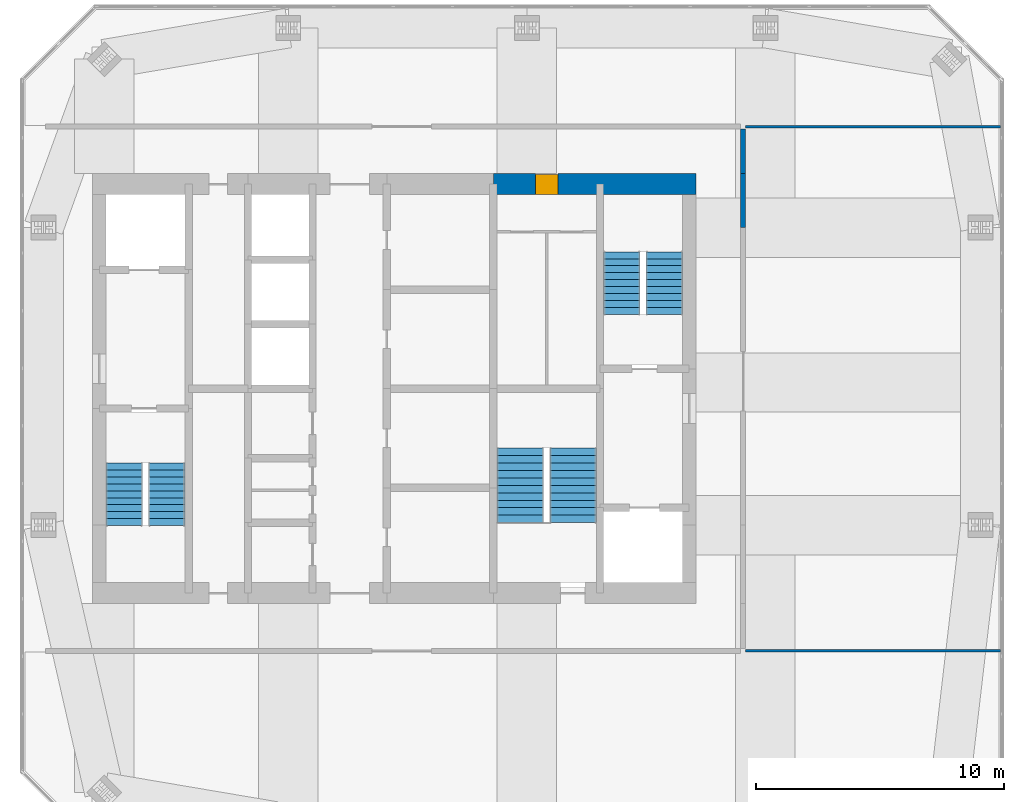
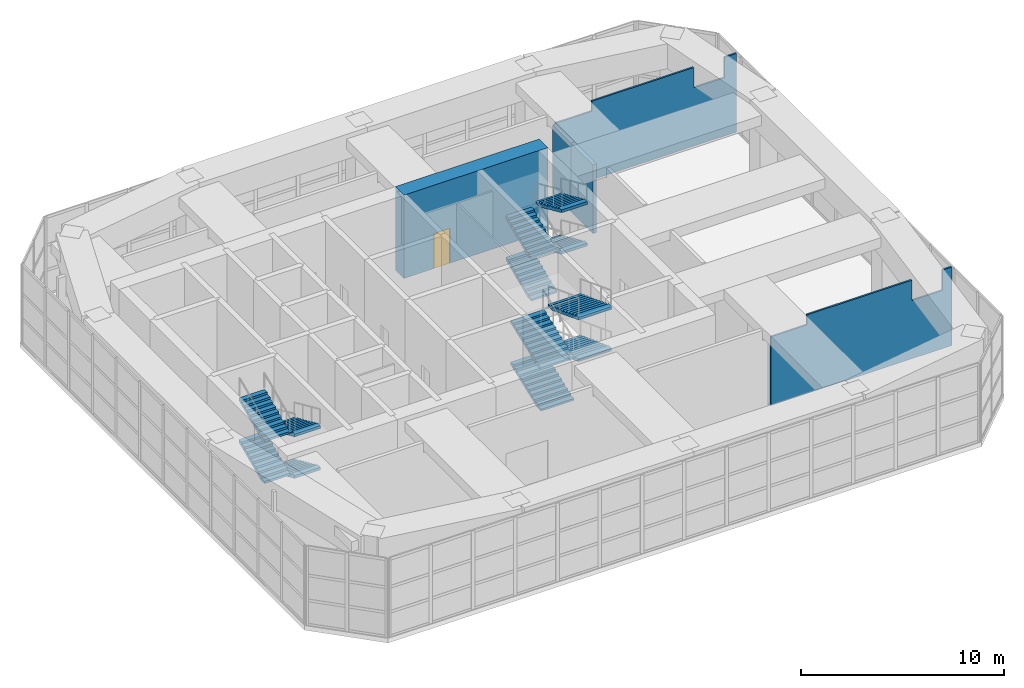
# One storey, part 13 of 14: 12 stair flights, 5 walls, 1 door, 1 opening, 3 elements without a shape of their own.
"""IFC4 building model written with IfcOpenShell, lengths in metres."""

from ifc_helpers import new_model, si_unit, direction, frame, frame_2d, origin, place, context, subcontext, project, spatial, polyline, rectangle, outline, extrude, material, layer, layer_set, constituent, constituent_set, type_object, element, fill, aggregate, save


model = new_model("IFC4")

# Units and contexts
model_context = context("Model", 3, precision=1e-05, world=origin(), true_north=direction((0.0, 1.0)))
body_context = subcontext(model_context, "Body", "Model", "MODEL_VIEW")
ifc_project = project(units=[si_unit("LENGTHUNIT", "METRE"), si_unit("AREAUNIT", "SQUARE_METRE"), si_unit("VOLUMEUNIT", "CUBIC_METRE"), si_unit("PLANEANGLEUNIT", "RADIAN"), si_unit("MASSUNIT", "GRAM", prefix="KILO")], contexts=[model_context])

# Site, building, storey
site_placement = place(None, origin())
site = spatial("IfcSite", under=ifc_project, at=site_placement, CompositionType="ELEMENT")
building_placement = place(site_placement, origin())
building = spatial("IfcBuilding", under=site, at=building_placement, Name="Jalousie Tower", CompositionType="ELEMENT")
storey_placement = place(building_placement, frame((0.0, 0.0, 267.75)))
storey = spatial("IfcBuildingStorey", under=building, at=storey_placement, Name="L73", CompositionType="ELEMENT", Elevation=267.75)

# Wall, opening, door
ifc_material_1 = material(Name="Concrete f'c 120 MPa", Category="concrete")
ifc_layer = layer(ifc_material_1, 0.85009765625)
ifc_layer_set = layer_set([ifc_layer], Name="Concrete f'c 120 MPa")
wall_type_1 = type_object("IfcWallType", Name="CORE WALL 850", PredefinedType="SHEAR", material=ifc_layer_set)
wall_1_placement = place(storey_placement, frame((44.074951171875, 26.75, 0.0), z_axis=(0.0, 0.0, 1.0), x_axis=(-1.0, 0.0, 0.0)))
wall_1 = element("IfcWall", 1, at=wall_1_placement, inside=storey, type_object=wall_type_1, Name="Core wall NA L73", PredefinedType="SHEAR", context=body_context, shape_type="SweptSolid", body=[
    extrude(rectangle(XDim=8.175048828125, YDim=0.85009765625, at=frame_2d((4.08740234375, 0.0))), origin(), (0.0, 0.0, 1.0), 5.0),
])
opening_placement = place(wall_1_placement, frame((5.574951171875, 0.0, 0.0)))
opening = element("IfcOpeningElement", 2, at=opening_placement, cuts=wall_1, Name="Opening D25", PredefinedType="OPENING", context=body_context, shape_type="SweptSolid", body=[
    extrude(rectangle(XDim=0.89990234375, YDim=2.10009765625, at=frame_2d((0.449951171875, 1.050048828125))), frame((0.0, 0.43505859375, 0.0), z_axis=(0.0, -1.0, 0.0), x_axis=(1.0, 0.0, 0.0)), (0.0, 0.0, 1.0), 0.8701171875),
])
ifc_material_2 = material(Name="Steel fire door", Category="steel")
door_type = type_object("IfcDoorType", Name="SERVICE LOBBY DOOR 900", OperationType="SINGLE_SWING_LEFT", PredefinedType="DOOR", material=ifc_material_2)
door_placement = place(opening_placement, origin())
door = element("IfcDoor", 3, at=door_placement, inside=storey, type_object=door_type, Name="Service lobby door", OperationType="SINGLE_SWING_LEFT", OverallHeight=2.10009765625, OverallWidth=0.89990234375, PredefinedType="DOOR", context=body_context, shape_type="SweptSolid", body=[
    extrude(rectangle(XDim=0.89990234375, YDim=2.10009765625, at=frame_2d((0.449951171875, 1.050048828125))), frame((0.0, 0.4150390625, 0.0), z_axis=(0.0, -1.0, 0.0), x_axis=(1.0, 0.0, 0.0)), (0.0, 0.0, 1.0), 0.800048828125),
])
fill(opening, door)

# Walls
ifc_material_3 = material(Name="Concrete block ASTM C90", Category="concrete")
ifc_constituent_1 = constituent(ifc_material_3, Name="Body")
ifc_material_4 = material(Name="Render")
ifc_constituent_2 = constituent(ifc_material_4, Name="Finish")
ifc_constituent_set_1 = constituent_set(constituents=[ifc_constituent_1, ifc_constituent_2])
wall_type_2 = type_object("IfcWallType", Name="CORRIDOR WALL 200", PredefinedType="PARTITIONING", material=ifc_constituent_set_1)
wall_2_placement = place(storey_placement, frame((45.97509765625, 27.175048828125, 0.0), z_axis=(0.0, 0.0, 1.0), x_axis=(0.0, 1.0, 0.0)))
element("IfcWall", 4, at=wall_2_placement, inside=storey, type_object=wall_type_2, Name="Corridor Wall 200 L73", PredefinedType="PARTITIONING", context=body_context, shape_type="SweptSolid", body=[
    extrude(outline(polyline([(0.0, 0.0), (1.800048828125, 0.0), (1.800048828125, 4.719970703125), (1.800048828125, 4.1201171875), (0.0, 4.1201171875), (0.0, 4.719970703125), (0.0, 0.0)])), frame((0.0, 0.10009765625, 0.0), z_axis=(0.0, -1.0, 0.0), x_axis=(1.0, 0.0, 0.0)), (0.0, 0.0, 1.0), 0.199951171875),
])
wall_3_placement = place(storey_placement, frame((45.97509765625, 25.0, 0.0), z_axis=(0.0, 0.0, 1.0), x_axis=(0.0, 1.0, 0.0)))
element("IfcWall", 5, at=wall_3_placement, inside=storey, type_object=wall_type_2, Name="Corridor Wall 200 L73-C", PredefinedType="PARTITIONING", context=body_context, shape_type="SweptSolid", body=[
    extrude(rectangle(XDim=2.175048828125, YDim=0.199951171875, at=frame_2d((1.08740234375, 0.0))), origin(), (0.0, 0.0, 1.0), 4.1201171875),
])
ifc_material_5 = material(Name="Gypsum board", Category="gypsum")
ifc_constituent_3 = constituent(ifc_material_5, Name="Body")
ifc_material_6 = material(Name="Light-gauge steel studs ASTM A653 SS Grade 33", Category="steel")
ifc_constituent_4 = constituent(ifc_material_6, Name="Framing")
ifc_constituent_set_2 = constituent_set(constituents=[ifc_constituent_3, ifc_constituent_4])
wall_type_3 = type_object("IfcWallType", Name="PARTITION 100", PredefinedType="PARTITIONING", material=ifc_constituent_set_2)
wall_4_placement = place(storey_placement, frame((46.074951171875, 7.925048828125, 0.0), z_axis=(0.0, 0.0, 1.0), x_axis=(1.0, 0.0, 0.0)))
element("IfcWall", 6, at=wall_4_placement, inside=storey, type_object=wall_type_3, Name="Partition 100 L73", PredefinedType="PARTITIONING", context=body_context, shape_type="SweptSolid", body=[
    extrude(outline(polyline([(0.0, 0.0), (10.275146484375, 0.0), (10.27490234375, 4.719970703125), (9.749755859375, 4.719970703125), (9.749755859375, 3.5), (8.01806640625, 3.5), (8.01806640625, 4.719970703125), (2.06005859375, 4.719970703125), (2.06005859375, 4.1201171875), (0.0, 4.1201171875), (0.0, 4.719970703125), (0.0, 0.0)])), frame((0.0, 0.050048828125, 0.0), z_axis=(0.0, -1.0, 0.0), x_axis=(1.0, 0.0, 0.0)), (0.0, 0.0, 1.0), 0.10009765625),
])
wall_5_placement = place(storey_placement, frame((46.074951171875, 29.074951171875, 0.0), z_axis=(0.0, 0.0, 1.0), x_axis=(1.0, 0.0, 0.0)))
element("IfcWall", 7, at=wall_5_placement, inside=storey, type_object=wall_type_3, Name="Partition 100 L73", PredefinedType="PARTITIONING", context=body_context, shape_type="SweptSolid", body=[
    extrude(outline(polyline([(0.0, 0.0), (10.275146484375, 0.0), (10.27490234375, 4.719970703125), (9.595458984375, 4.719970703125), (9.595458984375, 3.5), (7.84619140625, 3.5), (7.84619140625, 4.719970703125), (2.06005859375, 4.719970703125), (2.06005859375, 4.1201171875), (0.0, 4.1201171875), (0.0, 4.719970703125), (0.0, 0.0)])), frame((0.0, 0.050048828125, 0.0), z_axis=(0.0, -1.0, 0.0), x_axis=(1.0, 0.0, 0.0)), (0.0, 0.0, 1.0), 0.10009765625),
])

# Stair, stair flights
ifc_material_7 = material(Name="Concrete f'c 40 MPa", Category="concrete")
stair_type = type_object("IfcStairType", Name="EXIT STAIR", PredefinedType="HALF_TURN_STAIR", material=ifc_material_7)
stair_1_placement = place(storey_placement, origin())
stair_1 = element("IfcStair", 8, at=stair_1_placement, inside=storey, type_object=stair_type, Name="Exit stair A L73", PredefinedType="HALF_TURN_STAIR")
ifc_material_8 = material(Name="Concrete f'c 40 MPa", Category="concrete")
stair_flight_type = type_object("IfcStairFlightType", Name="STAIR FLIGHT", PredefinedType="STRAIGHT", material=ifc_material_8)
stair_flight_1_placement = place(storey_placement, frame((22.71875, 15.49755859375, 0.0), z_axis=(0.0, 0.0, 1.0), x_axis=(0.0, -1.0, 0.0)))
stair_flight_1 = element("IfcStairFlight", 9, at=stair_flight_1_placement, type_object=stair_flight_type, Name="ST-A flight 1", NumberOfRisers=10, NumberOfTreads=9, PredefinedType="STRAIGHT", RiserHeight=0.125, TreadLength=0.28, context=body_context, shape_type="SweptSolid", body=[
    extrude(outline(polyline([(0.0, 0.0), (0.0, 0.125), (0.280029296875, 0.125), (0.280029296875, 0.25), (0.56005859375, 0.25), (0.56005859375, 0.375), (0.840087890625, 0.375), (0.840087890625, 0.5), (1.1201171875, 0.5), (1.1201171875, 0.625), (1.39990234375, 0.625), (1.39990234375, 0.75), (1.679931640625, 0.75), (1.679931640625, 0.875), (1.9599609375, 0.875), (1.9599609375, 1.0), (2.239990234375, 1.0), (2.239990234375, 1.125), (2.52001953125, 1.125), (2.52001953125, 1.25), (2.52001953125, 0.9609375), (0.36767578125, 0.0), (0.0, 0.0)])), frame((0.0, 0.731201171875, 0.0), z_axis=(0.0, -1.0, 0.0), x_axis=(1.0, 0.0, 0.0)), (0.0, 0.0, 1.0), 1.46240234375),
])
stair_flight_2_placement = place(storey_placement, frame((21.00634765625, 12.9775390625, 1.25), z_axis=(0.0, 0.0, 1.0), x_axis=(0.0, 1.0, 0.0)))
stair_flight_2 = element("IfcStairFlight", 10, at=stair_flight_2_placement, type_object=stair_flight_type, Name="ST-A flight 2", NumberOfRisers=10, NumberOfTreads=9, PredefinedType="STRAIGHT", RiserHeight=0.125, TreadLength=0.28, context=body_context, shape_type="SweptSolid", body=[
    extrude(outline(polyline([(0.0, 0.0), (0.0, 0.125), (0.280029296875, 0.125), (0.280029296875, 0.25), (0.56005859375, 0.25), (0.56005859375, 0.375), (0.840087890625, 0.375), (0.840087890625, 0.5), (1.1201171875, 0.5), (1.1201171875, 0.625), (1.39990234375, 0.625), (1.39990234375, 0.75), (1.679931640625, 0.75), (1.679931640625, 0.875), (1.9599609375, 0.875), (1.9599609375, 1.0), (2.239990234375, 1.0), (2.239990234375, 1.125), (2.52001953125, 1.125), (2.52001953125, 1.25), (2.52001953125, 0.9609375), (0.36767578125, 0.0), (0.0, 0.0)])), frame((0.0, 0.731201171875, 0.0), z_axis=(0.0, -1.0, 0.0), x_axis=(1.0, 0.0, 0.0)), (0.0, 0.0, 1.0), 1.46240234375),
])
stair_flight_3_placement = place(storey_placement, frame((22.71875, 15.49755859375, 2.5), z_axis=(0.0, 0.0, 1.0), x_axis=(0.0, -1.0, 0.0)))
stair_flight_3 = element("IfcStairFlight", 11, at=stair_flight_3_placement, type_object=stair_flight_type, Name="ST-A flight 3", NumberOfRisers=10, NumberOfTreads=9, PredefinedType="STRAIGHT", RiserHeight=0.125, TreadLength=0.28, context=body_context, shape_type="SweptSolid", body=[
    extrude(outline(polyline([(0.0, 0.0), (0.0, 0.125), (0.280029296875, 0.125), (0.280029296875, 0.25), (0.56005859375, 0.25), (0.56005859375, 0.375), (0.840087890625, 0.375), (0.840087890625, 0.5), (1.1201171875, 0.5), (1.1201171875, 0.625), (1.39990234375, 0.625), (1.39990234375, 0.75), (1.679931640625, 0.75), (1.679931640625, 0.875), (1.9599609375, 0.875), (1.9599609375, 1.0), (2.239990234375, 1.0), (2.239990234375, 1.125), (2.52001953125, 1.125), (2.52001953125, 1.25), (2.52001953125, 0.9609375), (0.36767578125, 0.0), (0.0, 0.0)])), frame((0.0, 0.731201171875, 0.0), z_axis=(0.0, -1.0, 0.0), x_axis=(1.0, 0.0, 0.0)), (0.0, 0.0, 1.0), 1.46240234375),
])
stair_flight_4_placement = place(storey_placement, frame((21.00634765625, 12.9775390625, 3.75), z_axis=(0.0, 0.0, 1.0), x_axis=(0.0, 1.0, 0.0)))
stair_flight_4 = element("IfcStairFlight", 12, at=stair_flight_4_placement, type_object=stair_flight_type, Name="ST-A flight 4", NumberOfRisers=10, NumberOfTreads=9, PredefinedType="STRAIGHT", RiserHeight=0.125, TreadLength=0.28, context=body_context, shape_type="SweptSolid", body=[
    extrude(outline(polyline([(0.0, 0.0), (0.0, 0.125), (0.280029296875, 0.125), (0.280029296875, 0.25), (0.56005859375, 0.25), (0.56005859375, 0.375), (0.840087890625, 0.375), (0.840087890625, 0.5), (1.1201171875, 0.5), (1.1201171875, 0.625), (1.39990234375, 0.625), (1.39990234375, 0.75), (1.679931640625, 0.75), (1.679931640625, 0.875), (1.9599609375, 0.875), (1.9599609375, 1.0), (2.239990234375, 1.0), (2.239990234375, 1.125), (2.52001953125, 1.125), (2.52001953125, 1.25), (2.52001953125, 0.9609375), (0.36767578125, 0.0), (0.0, 0.0)])), frame((0.0, 0.731201171875, 0.0), z_axis=(0.0, -1.0, 0.0), x_axis=(1.0, 0.0, 0.0)), (0.0, 0.0, 1.0), 1.46240234375),
])
aggregate(stair_1, [stair_flight_1, stair_flight_2, stair_flight_3, stair_flight_4])

stair_2_placement = place(storey_placement, origin())
stair_2 = element("IfcStair", 13, at=stair_2_placement, inside=storey, type_object=stair_type, Name="Exit stair B L73", PredefinedType="HALF_TURN_STAIR")
stair_flight_5_placement = place(storey_placement, frame((41.081298828125, 21.50244140625, 0.0), z_axis=(0.0, 0.0, 1.0), x_axis=(0.0, 1.0, 0.0)))
stair_flight_5 = element("IfcStairFlight", 14, at=stair_flight_5_placement, type_object=stair_flight_type, Name="ST-B flight 1", NumberOfRisers=10, NumberOfTreads=9, PredefinedType="STRAIGHT", RiserHeight=0.125, TreadLength=0.28, context=body_context, shape_type="SweptSolid", body=[
    extrude(outline(polyline([(0.0, 0.0), (0.0, 0.125), (0.280029296875, 0.125), (0.280029296875, 0.25), (0.56005859375, 0.25), (0.56005859375, 0.375), (0.840087890625, 0.375), (0.840087890625, 0.5), (1.1201171875, 0.5), (1.1201171875, 0.625), (1.39990234375, 0.625), (1.39990234375, 0.75), (1.679931640625, 0.75), (1.679931640625, 0.875), (1.9599609375, 0.875), (1.9599609375, 1.0), (2.239990234375, 1.0), (2.239990234375, 1.125), (2.52001953125, 1.125), (2.52001953125, 1.25), (2.52001953125, 0.9609375), (0.36767578125, 0.0), (0.0, 0.0)])), frame((0.0, 0.731201171875, 0.0), z_axis=(0.0, -1.0, 0.0), x_axis=(1.0, 0.0, 0.0)), (0.0, 0.0, 1.0), 1.46240234375),
])
stair_flight_6_placement = place(storey_placement, frame((42.793701171875, 24.0224609375, 1.25), z_axis=(0.0, 0.0, 1.0), x_axis=(0.0, -1.0, 0.0)))
stair_flight_6 = element("IfcStairFlight", 15, at=stair_flight_6_placement, type_object=stair_flight_type, Name="ST-B flight 2", NumberOfRisers=10, NumberOfTreads=9, PredefinedType="STRAIGHT", RiserHeight=0.125, TreadLength=0.28, context=body_context, shape_type="SweptSolid", body=[
    extrude(outline(polyline([(0.0, 0.0), (0.0, 0.125), (0.280029296875, 0.125), (0.280029296875, 0.25), (0.56005859375, 0.25), (0.56005859375, 0.375), (0.840087890625, 0.375), (0.840087890625, 0.5), (1.1201171875, 0.5), (1.1201171875, 0.625), (1.39990234375, 0.625), (1.39990234375, 0.75), (1.679931640625, 0.75), (1.679931640625, 0.875), (1.9599609375, 0.875), (1.9599609375, 1.0), (2.239990234375, 1.0), (2.239990234375, 1.125), (2.52001953125, 1.125), (2.52001953125, 1.25), (2.52001953125, 0.9609375), (0.36767578125, 0.0), (0.0, 0.0)])), frame((0.0, 0.731201171875, 0.0), z_axis=(0.0, -1.0, 0.0), x_axis=(1.0, 0.0, 0.0)), (0.0, 0.0, 1.0), 1.46240234375),
])
stair_flight_7_placement = place(storey_placement, frame((41.081298828125, 21.50244140625, 2.5), z_axis=(0.0, 0.0, 1.0), x_axis=(0.0, 1.0, 0.0)))
stair_flight_7 = element("IfcStairFlight", 16, at=stair_flight_7_placement, type_object=stair_flight_type, Name="ST-B flight 3", NumberOfRisers=10, NumberOfTreads=9, PredefinedType="STRAIGHT", RiserHeight=0.125, TreadLength=0.28, context=body_context, shape_type="SweptSolid", body=[
    extrude(outline(polyline([(0.0, 0.0), (0.0, 0.125), (0.280029296875, 0.125), (0.280029296875, 0.25), (0.56005859375, 0.25), (0.56005859375, 0.375), (0.840087890625, 0.375), (0.840087890625, 0.5), (1.1201171875, 0.5), (1.1201171875, 0.625), (1.39990234375, 0.625), (1.39990234375, 0.75), (1.679931640625, 0.75), (1.679931640625, 0.875), (1.9599609375, 0.875), (1.9599609375, 1.0), (2.239990234375, 1.0), (2.239990234375, 1.125), (2.52001953125, 1.125), (2.52001953125, 1.25), (2.52001953125, 0.9609375), (0.36767578125, 0.0), (0.0, 0.0)])), frame((0.0, 0.731201171875, 0.0), z_axis=(0.0, -1.0, 0.0), x_axis=(1.0, 0.0, 0.0)), (0.0, 0.0, 1.0), 1.46240234375),
])
stair_flight_8_placement = place(storey_placement, frame((42.793701171875, 24.0224609375, 3.75), z_axis=(0.0, 0.0, 1.0), x_axis=(0.0, -1.0, 0.0)))
stair_flight_8 = element("IfcStairFlight", 17, at=stair_flight_8_placement, type_object=stair_flight_type, Name="ST-B flight 4", NumberOfRisers=10, NumberOfTreads=9, PredefinedType="STRAIGHT", RiserHeight=0.125, TreadLength=0.28, context=body_context, shape_type="SweptSolid", body=[
    extrude(outline(polyline([(0.0, 0.0), (0.0, 0.125), (0.280029296875, 0.125), (0.280029296875, 0.25), (0.56005859375, 0.25), (0.56005859375, 0.375), (0.840087890625, 0.375), (0.840087890625, 0.5), (1.1201171875, 0.5), (1.1201171875, 0.625), (1.39990234375, 0.625), (1.39990234375, 0.75), (1.679931640625, 0.75), (1.679931640625, 0.875), (1.9599609375, 0.875), (1.9599609375, 1.0), (2.239990234375, 1.0), (2.239990234375, 1.125), (2.52001953125, 1.125), (2.52001953125, 1.25), (2.52001953125, 0.9609375), (0.36767578125, 0.0), (0.0, 0.0)])), frame((0.0, 0.731201171875, 0.0), z_axis=(0.0, -1.0, 0.0), x_axis=(1.0, 0.0, 0.0)), (0.0, 0.0, 1.0), 1.46240234375),
])
aggregate(stair_2, [stair_flight_5, stair_flight_6, stair_flight_7, stair_flight_8])

stair_3_placement = place(storey_placement, origin())
stair_3 = element("IfcStair", 18, at=stair_3_placement, inside=storey, type_object=stair_type, Name="Exit stair C L73", PredefinedType="HALF_TURN_STAIR")
stair_flight_9_placement = place(storey_placement, frame((36.987548828125, 13.097412109375, 0.0), z_axis=(0.0, 0.0, 1.0), x_axis=(0.0, 1.0, 0.0)))
stair_flight_9 = element("IfcStairFlight", 19, at=stair_flight_9_placement, type_object=stair_flight_type, Name="ST-C flight 1", NumberOfRisers=11, NumberOfTreads=10, PredefinedType="STRAIGHT", RiserHeight=0.113636364, TreadLength=0.3, context=body_context, shape_type="SweptSolid", body=[
    extrude(outline(polyline([(0.0, 0.0), (0.0, 0.113525390625), (0.300048828125, 0.113525390625), (0.300048828125, 0.227294921875), (0.60009765625, 0.227294921875), (0.60009765625, 0.3408203125), (0.89990234375, 0.3408203125), (0.89990234375, 0.45458984375), (1.199951171875, 0.45458984375), (1.199951171875, 0.568115234375), (1.5, 0.568115234375), (1.5, 0.681884765625), (1.800048828125, 0.681884765625), (1.800048828125, 0.79541015625), (2.10009765625, 0.79541015625), (2.10009765625, 0.9091796875), (2.39990234375, 0.9091796875), (2.39990234375, 1.022705078125), (2.699951171875, 1.022705078125), (2.699951171875, 1.136474609375), (3.0, 1.136474609375), (3.0, 1.25), (3.0, 0.97607421875), (0.423095703125, 0.0), (0.0, 0.0)])), frame((0.0, 0.9375, 0.0), z_axis=(0.0, -1.0, 0.0), x_axis=(1.0, 0.0, 0.0)), (0.0, 0.0, 1.0), 1.875),
])
stair_flight_10_placement = place(storey_placement, frame((39.112548828125, 16.097412109375, 1.25), z_axis=(0.0, 0.0, 1.0), x_axis=(0.0, -1.0, 0.0)))
stair_flight_10 = element("IfcStairFlight", 20, at=stair_flight_10_placement, type_object=stair_flight_type, Name="ST-C flight 2", NumberOfRisers=11, NumberOfTreads=10, PredefinedType="STRAIGHT", RiserHeight=0.113636364, TreadLength=0.3, context=body_context, shape_type="SweptSolid", body=[
    extrude(outline(polyline([(0.0, 0.0), (0.0, 0.113525390625), (0.300048828125, 0.113525390625), (0.300048828125, 0.227294921875), (0.60009765625, 0.227294921875), (0.60009765625, 0.3408203125), (0.89990234375, 0.3408203125), (0.89990234375, 0.45458984375), (1.199951171875, 0.45458984375), (1.199951171875, 0.568115234375), (1.5, 0.568115234375), (1.5, 0.681884765625), (1.800048828125, 0.681884765625), (1.800048828125, 0.79541015625), (2.10009765625, 0.79541015625), (2.10009765625, 0.9091796875), (2.39990234375, 0.9091796875), (2.39990234375, 1.022705078125), (2.699951171875, 1.022705078125), (2.699951171875, 1.136474609375), (3.0, 1.136474609375), (3.0, 1.25), (3.0, 0.97607421875), (0.423095703125, 0.0), (0.0, 0.0)])), frame((0.0, 0.9375, 0.0), z_axis=(0.0, -1.0, 0.0), x_axis=(1.0, 0.0, 0.0)), (0.0, 0.0, 1.0), 1.875),
])
stair_flight_11_placement = place(storey_placement, frame((36.987548828125, 13.097412109375, 2.5), z_axis=(0.0, 0.0, 1.0), x_axis=(0.0, 1.0, 0.0)))
stair_flight_11 = element("IfcStairFlight", 21, at=stair_flight_11_placement, type_object=stair_flight_type, Name="ST-C flight 3", NumberOfRisers=11, NumberOfTreads=10, PredefinedType="STRAIGHT", RiserHeight=0.113636364, TreadLength=0.3, context=body_context, shape_type="SweptSolid", body=[
    extrude(outline(polyline([(0.0, 0.0), (0.0, 0.113525390625), (0.300048828125, 0.113525390625), (0.300048828125, 0.227294921875), (0.60009765625, 0.227294921875), (0.60009765625, 0.3408203125), (0.89990234375, 0.3408203125), (0.89990234375, 0.45458984375), (1.199951171875, 0.45458984375), (1.199951171875, 0.568115234375), (1.5, 0.568115234375), (1.5, 0.681884765625), (1.800048828125, 0.681884765625), (1.800048828125, 0.79541015625), (2.10009765625, 0.79541015625), (2.10009765625, 0.9091796875), (2.39990234375, 0.9091796875), (2.39990234375, 1.022705078125), (2.699951171875, 1.022705078125), (2.699951171875, 1.136474609375), (3.0, 1.136474609375), (3.0, 1.25), (3.0, 0.97607421875), (0.423095703125, 0.0), (0.0, 0.0)])), frame((0.0, 0.9375, 0.0), z_axis=(0.0, -1.0, 0.0), x_axis=(1.0, 0.0, 0.0)), (0.0, 0.0, 1.0), 1.875),
])
stair_flight_12_placement = place(storey_placement, frame((39.112548828125, 16.097412109375, 3.75), z_axis=(0.0, 0.0, 1.0), x_axis=(0.0, -1.0, 0.0)))
stair_flight_12 = element("IfcStairFlight", 22, at=stair_flight_12_placement, type_object=stair_flight_type, Name="ST-C flight 4", NumberOfRisers=11, NumberOfTreads=10, PredefinedType="STRAIGHT", RiserHeight=0.113636364, TreadLength=0.3, context=body_context, shape_type="SweptSolid", body=[
    extrude(outline(polyline([(0.0, 0.0), (0.0, 0.113525390625), (0.300048828125, 0.113525390625), (0.300048828125, 0.227294921875), (0.60009765625, 0.227294921875), (0.60009765625, 0.3408203125), (0.89990234375, 0.3408203125), (0.89990234375, 0.45458984375), (1.199951171875, 0.45458984375), (1.199951171875, 0.568115234375), (1.5, 0.568115234375), (1.5, 0.681884765625), (1.800048828125, 0.681884765625), (1.800048828125, 0.79541015625), (2.10009765625, 0.79541015625), (2.10009765625, 0.9091796875), (2.39990234375, 0.9091796875), (2.39990234375, 1.022705078125), (2.699951171875, 1.022705078125), (2.699951171875, 1.136474609375), (3.0, 1.136474609375), (3.0, 1.25), (3.0, 0.97607421875), (0.423095703125, 0.0), (0.0, 0.0)])), frame((0.0, 0.9375, 0.0), z_axis=(0.0, -1.0, 0.0), x_axis=(1.0, 0.0, 0.0)), (0.0, 0.0, 1.0), 1.875),
])
aggregate(stair_3, [stair_flight_9, stair_flight_10, stair_flight_11, stair_flight_12])

save(model, "model.ifc")
